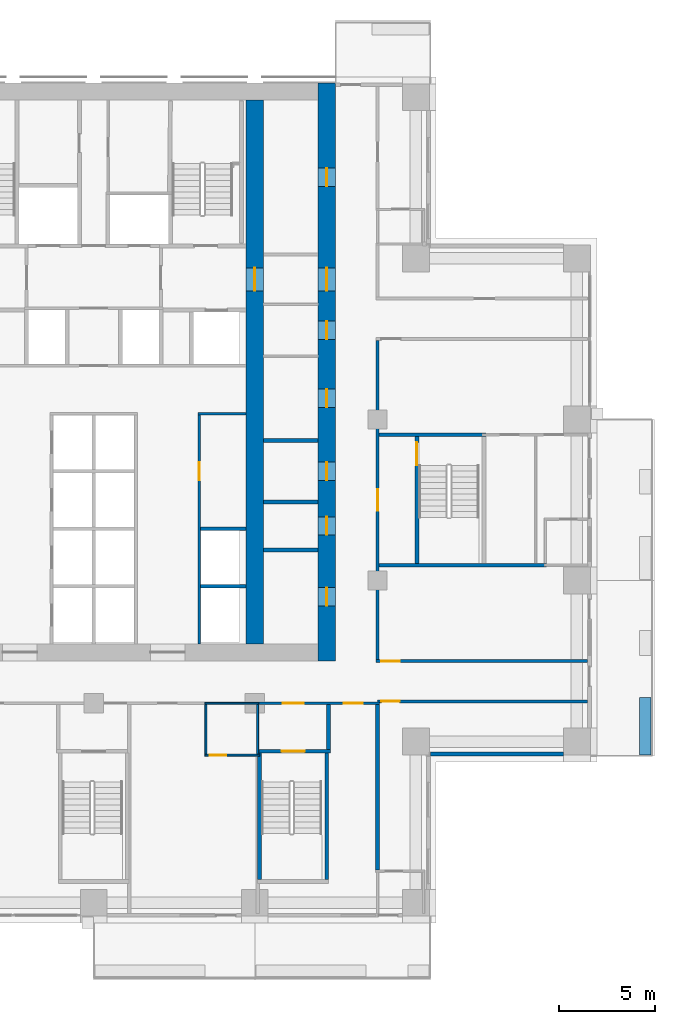
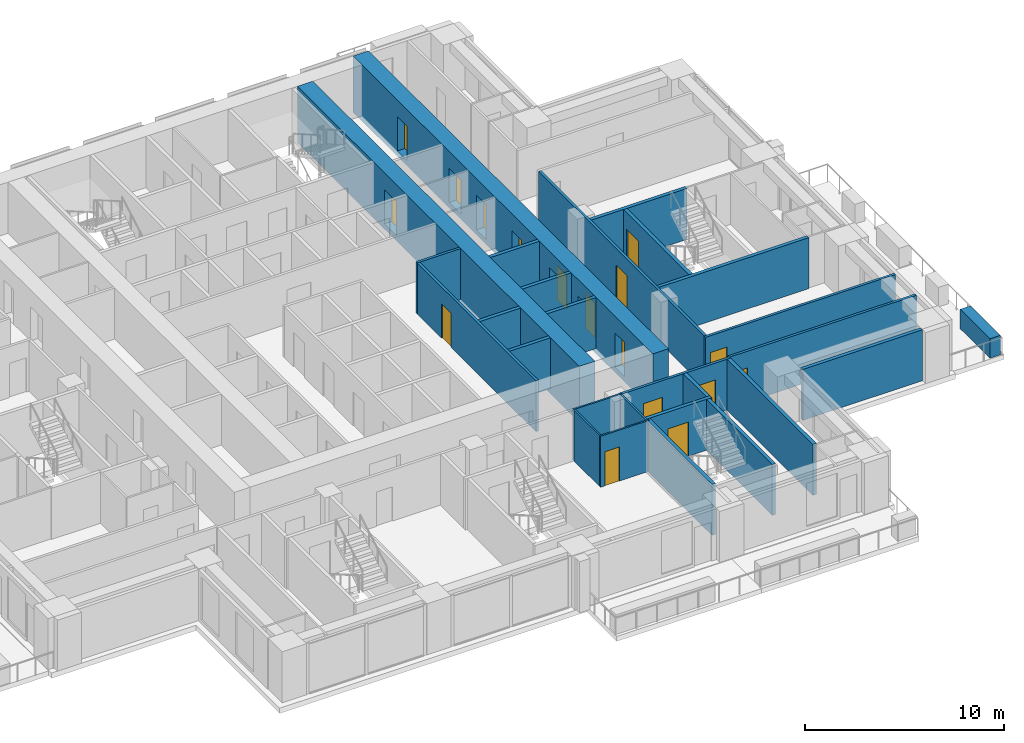
# One storey, part 11 of 17: 27 walls, 17 doors, 17 openings.
"""IFC4 building model written with IfcOpenShell, lengths in metres."""

from ifc_helpers import new_model, si_unit, direction, frame, frame_2d, origin, place, context, subcontext, project, spatial, rectangle, extrude, material, layer, layer_set, type_object, element, fill, save


model = new_model("IFC4")

# Units and contexts
model_context = context("Model", 3, precision=1e-05, world=origin(), true_north=direction((0.0, 1.0)))
body_context = subcontext(model_context, "Body", "Model", "MODEL_VIEW")
ifc_project = project(units=[si_unit("LENGTHUNIT", "METRE"), si_unit("AREAUNIT", "SQUARE_METRE"), si_unit("VOLUMEUNIT", "CUBIC_METRE"), si_unit("PLANEANGLEUNIT", "RADIAN"), si_unit("MASSUNIT", "GRAM", prefix="KILO")], contexts=[model_context])

# Site, building, storey
site_placement = place(None, origin())
site = spatial("IfcSite", under=ifc_project, at=site_placement, CompositionType="ELEMENT")
building_placement = place(site_placement, origin())
building = spatial("IfcBuilding", under=site, at=building_placement, Name="Vermilion Ogive Tower", CompositionType="ELEMENT")
storey_placement = place(building_placement, frame((0.0, 0.0, 51.75)))
storey = spatial("IfcBuildingStorey", under=building, at=storey_placement, Name="L11", CompositionType="ELEMENT", Elevation=51.75)

# Wall, openings, doors
ifc_material_1 = material(Name="Concrete B80", Category="concrete")
ifc_layer_1 = layer(ifc_material_1, 0.89990234375)
ifc_layer_set_1 = layer_set([ifc_layer_1], Name="Core wall 900 B80")
wall_type_1 = type_object("IfcWallType", Name="Core wall 900 B80", PredefinedType="SHEAR", material=ifc_layer_set_1)
wall_1_placement = place(storey_placement, frame((12.14990234375, -8.39990234375, -0.320068359375), z_axis=(0.0, 0.0, 1.0), x_axis=(0.0, 1.0, 0.0)))
wall_1 = element("IfcWall", 1, at=wall_1_placement, inside=storey, type_object=wall_type_1, Name="L11-CORE-E", PredefinedType="SHEAR", context=body_context, shape_type="SweptSolid", body=[
    extrude(rectangle(XDim=30.14990234375, YDim=0.89990234375, at=frame_2d((15.074951171875, 0.0))), origin(), (0.0, 0.0, 1.0), 3.449951171875),
])
opening_1_placement = place(wall_1_placement, frame((2.875, 0.0, 0.320068359375)))
opening_1 = element("IfcOpeningElement", 2, at=opening_1_placement, cuts=wall_1, Name="Opening DAC012", PredefinedType="OPENING", context=body_context, shape_type="SweptSolid", body=[
    extrude(rectangle(XDim=0.949951171875, YDim=2.10009765625, at=frame_2d((0.47509765625, 1.050048828125))), frame((0.0, 0.4599609375, 0.0), z_axis=(0.0, -1.0, 0.0), x_axis=(1.0, 0.0, 0.0)), (0.0, 0.0, 1.0), 0.919921875),
])
opening_2_placement = place(wall_1_placement, frame((6.574951171875, 0.0, 0.320068359375)))
opening_2 = element("IfcOpeningElement", 3, at=opening_2_placement, cuts=wall_1, Name="Opening DAC013", PredefinedType="OPENING", context=body_context, shape_type="SweptSolid", body=[
    extrude(rectangle(XDim=0.949951171875, YDim=2.10009765625, at=frame_2d((0.47509765625, 1.050048828125))), frame((0.0, 0.4599609375, 0.0), z_axis=(0.0, -1.0, 0.0), x_axis=(1.0, 0.0, 0.0)), (0.0, 0.0, 1.0), 0.919921875),
])
opening_3_placement = place(wall_1_placement, frame((9.425048828125, 0.0, 0.320068359375)))
opening_3 = element("IfcOpeningElement", 4, at=opening_3_placement, cuts=wall_1, Name="Opening DAC014", PredefinedType="OPENING", context=body_context, shape_type="SweptSolid", body=[
    extrude(rectangle(XDim=0.949951171875, YDim=2.10009765625, at=frame_2d((0.47509765625, 1.050048828125))), frame((0.0, 0.4599609375, 0.0), z_axis=(0.0, -1.0, 0.0), x_axis=(1.0, 0.0, 0.0)), (0.0, 0.0, 1.0), 0.919921875),
])
opening_4_placement = place(wall_1_placement, frame((13.22509765625, 0.0, 0.320068359375)))
opening_4 = element("IfcOpeningElement", 5, at=opening_4_placement, cuts=wall_1, Name="Opening DAC015", PredefinedType="OPENING", context=body_context, shape_type="SweptSolid", body=[
    extrude(rectangle(XDim=0.949951171875, YDim=2.10009765625, at=frame_2d((0.47509765625, 1.050048828125))), frame((0.0, 0.4599609375, 0.0), z_axis=(0.0, -1.0, 0.0), x_axis=(1.0, 0.0, 0.0)), (0.0, 0.0, 1.0), 0.919921875),
])
opening_5_placement = place(wall_1_placement, frame((16.77490234375, 0.0, 0.320068359375)))
opening_5 = element("IfcOpeningElement", 6, at=opening_5_placement, cuts=wall_1, Name="Opening DAC016", PredefinedType="OPENING", context=body_context, shape_type="SweptSolid", body=[
    extrude(rectangle(XDim=0.949951171875, YDim=2.10009765625, at=frame_2d((0.47509765625, 1.050048828125))), frame((0.0, 0.4599609375, 0.0), z_axis=(0.0, -1.0, 0.0), x_axis=(1.0, 0.0, 0.0)), (0.0, 0.0, 1.0), 0.919921875),
])
opening_6_placement = place(wall_1_placement, frame((24.75, 0.0, 0.320068359375)))
opening_6 = element("IfcOpeningElement", 7, at=opening_6_placement, cuts=wall_1, Name="Opening DAC017", PredefinedType="OPENING", context=body_context, shape_type="SweptSolid", body=[
    extrude(rectangle(XDim=0.949951171875, YDim=2.10009765625, at=frame_2d((0.47509765625, 1.050048828125))), frame((0.0, 0.4599609375, 0.0), z_axis=(0.0, -1.0, 0.0), x_axis=(1.0, 0.0, 0.0)), (0.0, 0.0, 1.0), 0.919921875),
])
opening_7_placement = place(wall_1_placement, frame((19.300048828125, 0.0, 0.320068359375)))
opening_7 = element("IfcOpeningElement", 8, at=opening_7_placement, cuts=wall_1, Name="Opening DAL003", PredefinedType="OPENING", context=body_context, shape_type="SweptSolid", body=[
    extrude(rectangle(XDim=1.199951171875, YDim=2.10009765625, at=frame_2d((0.60009765625, 1.050048828125))), frame((0.0, 0.4599609375, 0.0), z_axis=(0.0, -1.0, 0.0), x_axis=(1.0, 0.0, 0.0)), (0.0, 0.0, 1.0), 0.919921875),
])
ifc_material_2 = material(Name="Timber door leaf", Category="wood")
door_type_1 = type_object("IfcDoorType", Name="Link door 1200 x 2100 FD60S", OperationType="SINGLE_SWING_LEFT", PredefinedType="DOOR", material=ifc_material_2)
door_1_placement = place(opening_7_placement, origin())
door_1 = element("IfcDoor", 9, at=door_1_placement, inside=storey, type_object=door_type_1, Name="L11-CKE-XL", OperationType="SINGLE_SWING_LEFT", OverallHeight=2.10009765625, OverallWidth=1.199951171875, PredefinedType="DOOR", context=body_context, shape_type="SweptSolid", body=[
    extrude(rectangle(XDim=1.199951171875, YDim=2.10009765625, at=frame_2d((0.60009765625, 1.050048828125))), frame((0.0, 0.02490234375, 0.0), z_axis=(0.0, -1.0, 0.0), x_axis=(1.0, 0.0, 0.0)), (0.0, 0.0, 1.0), 0.050048828125),
])
fill(opening_7, door_1)
ifc_material_3 = material(Name="Timber door leaf", Category="wood")
door_type_2 = type_object("IfcDoorType", Name="Service door 950 x 2100 FD60", OperationType="SINGLE_SWING_LEFT", PredefinedType="DOOR", material=ifc_material_3)
door_2_placement = place(opening_1_placement, origin())
door_2 = element("IfcDoor", 10, at=door_2_placement, inside=storey, type_object=door_type_2, Name="L11-CKE-XR0", OperationType="SINGLE_SWING_LEFT", OverallHeight=2.10009765625, OverallWidth=0.949951171875, PredefinedType="DOOR", context=body_context, shape_type="SweptSolid", body=[
    extrude(rectangle(XDim=0.949951171875, YDim=2.10009765625, at=frame_2d((0.47509765625, 1.050048828125))), frame((0.0, 0.02490234375, 0.0), z_axis=(0.0, -1.0, 0.0), x_axis=(1.0, 0.0, 0.0)), (0.0, 0.0, 1.0), 0.050048828125),
])
fill(opening_1, door_2)
door_3_placement = place(opening_2_placement, origin())
door_3 = element("IfcDoor", 11, at=door_3_placement, inside=storey, type_object=door_type_2, Name="L11-CKE-XR1", OperationType="SINGLE_SWING_LEFT", OverallHeight=2.10009765625, OverallWidth=0.949951171875, PredefinedType="DOOR", context=body_context, shape_type="SweptSolid", body=[
    extrude(rectangle(XDim=0.949951171875, YDim=2.10009765625, at=frame_2d((0.47509765625, 1.050048828125))), frame((0.0, 0.02490234375, 0.0), z_axis=(0.0, -1.0, 0.0), x_axis=(1.0, 0.0, 0.0)), (0.0, 0.0, 1.0), 0.050048828125),
])
fill(opening_2, door_3)
door_4_placement = place(opening_3_placement, origin())
door_4 = element("IfcDoor", 12, at=door_4_placement, inside=storey, type_object=door_type_2, Name="L11-CKE-XR2", OperationType="SINGLE_SWING_LEFT", OverallHeight=2.10009765625, OverallWidth=0.949951171875, PredefinedType="DOOR", context=body_context, shape_type="SweptSolid", body=[
    extrude(rectangle(XDim=0.949951171875, YDim=2.10009765625, at=frame_2d((0.47509765625, 1.050048828125))), frame((0.0, 0.02490234375, 0.0), z_axis=(0.0, -1.0, 0.0), x_axis=(1.0, 0.0, 0.0)), (0.0, 0.0, 1.0), 0.050048828125),
])
fill(opening_3, door_4)
door_5_placement = place(opening_4_placement, origin())
door_5 = element("IfcDoor", 13, at=door_5_placement, inside=storey, type_object=door_type_2, Name="L11-CKE-XR3", OperationType="SINGLE_SWING_LEFT", OverallHeight=2.10009765625, OverallWidth=0.949951171875, PredefinedType="DOOR", context=body_context, shape_type="SweptSolid", body=[
    extrude(rectangle(XDim=0.949951171875, YDim=2.10009765625, at=frame_2d((0.47509765625, 1.050048828125))), frame((0.0, 0.02490234375, 0.0), z_axis=(0.0, -1.0, 0.0), x_axis=(1.0, 0.0, 0.0)), (0.0, 0.0, 1.0), 0.050048828125),
])
fill(opening_4, door_5)
door_6_placement = place(opening_5_placement, origin())
door_6 = element("IfcDoor", 14, at=door_6_placement, inside=storey, type_object=door_type_2, Name="L11-CKE-XR4", OperationType="SINGLE_SWING_LEFT", OverallHeight=2.10009765625, OverallWidth=0.949951171875, PredefinedType="DOOR", context=body_context, shape_type="SweptSolid", body=[
    extrude(rectangle(XDim=0.949951171875, YDim=2.10009765625, at=frame_2d((0.47509765625, 1.050048828125))), frame((0.0, 0.02490234375, 0.0), z_axis=(0.0, -1.0, 0.0), x_axis=(1.0, 0.0, 0.0)), (0.0, 0.0, 1.0), 0.050048828125),
])
fill(opening_5, door_6)
door_7_placement = place(opening_6_placement, origin())
door_7 = element("IfcDoor", 15, at=door_7_placement, inside=storey, type_object=door_type_2, Name="L11-CKE-XR5", OperationType="SINGLE_SWING_LEFT", OverallHeight=2.10009765625, OverallWidth=0.949951171875, PredefinedType="DOOR", context=body_context, shape_type="SweptSolid", body=[
    extrude(rectangle(XDim=0.949951171875, YDim=2.10009765625, at=frame_2d((0.47509765625, 1.050048828125))), frame((0.0, 0.02490234375, 0.0), z_axis=(0.0, -1.0, 0.0), x_axis=(1.0, 0.0, 0.0)), (0.0, 0.0, 1.0), 0.050048828125),
])
fill(opening_6, door_7)

# Wall, opening, door
wall_2_placement = place(storey_placement, frame((8.39990234375, -7.5, -0.320068359375), z_axis=(0.0, 0.0, 1.0), x_axis=(0.0, 1.0, 0.0)))
wall_2 = element("IfcWall", 16, at=wall_2_placement, inside=storey, type_object=wall_type_1, Name="L11-CORE-WEB2", PredefinedType="SHEAR", context=body_context, shape_type="SweptSolid", body=[
    extrude(rectangle(XDim=28.35009765625, YDim=0.89990234375, at=frame_2d((14.175048828125, 0.0))), origin(), (0.0, 0.0, 1.0), 3.449951171875),
])
opening_8_placement = place(wall_2_placement, frame((18.39990234375, 0.0, 0.320068359375)))
opening_8 = element("IfcOpeningElement", 17, at=opening_8_placement, cuts=wall_2, Name="Opening DAO003", PredefinedType="OPENING", context=body_context, shape_type="SweptSolid", body=[
    extrude(rectangle(XDim=1.199951171875, YDim=2.10009765625, at=frame_2d((0.60009765625, 1.050048828125))), frame((0.0, 0.4599609375, 0.0), z_axis=(0.0, -1.0, 0.0), x_axis=(1.0, 0.0, 0.0)), (0.0, 0.0, 1.0), 0.919921875),
])
door_8_placement = place(opening_8_placement, origin())
door_8 = element("IfcDoor", 18, at=door_8_placement, inside=storey, type_object=door_type_1, Name="L11-CKE-XW", OperationType="SINGLE_SWING_LEFT", OverallHeight=2.10009765625, OverallWidth=1.199951171875, PredefinedType="DOOR", context=body_context, shape_type="SweptSolid", body=[
    extrude(rectangle(XDim=1.199951171875, YDim=2.10009765625, at=frame_2d((0.60009765625, 1.050048828125))), frame((0.0, 0.02490234375, 0.0), z_axis=(0.0, -1.0, 0.0), x_axis=(1.0, 0.0, 0.0)), (0.0, 0.0, 1.0), 0.050048828125),
])
fill(opening_8, door_8)

ifc_material_4 = material(Name="Gypsum board partition on steel studs", Category="steel")
ifc_layer_2 = layer(ifc_material_4, 0.10009765625)
ifc_layer_set_2 = layer_set([ifc_layer_2], Name="Partition 100 bath")
wall_type_2 = type_object("IfcWallType", Name="Partition 100 bath", PredefinedType="PARTITIONING", material=ifc_layer_set_2)
wall_3_placement = place(storey_placement, frame((5.800048828125, -13.300048828125, 0.0), z_axis=(0.0, 0.0, 1.0), x_axis=(1.0, 0.0, 0.0)))
wall_3 = element("IfcWall", 19, at=wall_3_placement, inside=storey, type_object=wall_type_2, Name="L11-W-W006", PredefinedType="PARTITIONING", context=body_context, shape_type="SweptSolid", body=[
    extrude(rectangle(XDim=2.849853515625, YDim=0.10009765625, at=frame_2d((1.4248046875, 0.0))), origin(), (0.0, 0.0, 1.0), 3.1298828125),
])
opening_9_placement = place(wall_3_placement, frame((0.25, 0.0, 0.0)))
opening_9 = element("IfcOpeningElement", 20, at=opening_9_placement, cuts=wall_3, Name="Opening D1G3013", PredefinedType="OPENING", context=body_context, shape_type="SweptSolid", body=[
    extrude(rectangle(XDim=0.85009765625, YDim=2.10009765625, at=frame_2d((0.425048828125, 1.050048828125))), frame((0.0, 0.06005859375, 0.0), z_axis=(0.0, -1.0, 0.0), x_axis=(1.0, 0.0, 0.0)), (0.0, 0.0, 1.0), 0.1201171875),
])
ifc_material_5 = material(Name="Timber door leaf", Category="wood")
door_type_3 = type_object("IfcDoorType", Name="Bath door 850 x 2100 FD30", OperationType="SINGLE_SWING_LEFT", PredefinedType="DOOR", material=ifc_material_5)
door_9_placement = place(opening_9_placement, origin())
door_9 = element("IfcDoor", 21, at=door_9_placement, inside=storey, type_object=door_type_3, Name="L11-D-D013", OperationType="SINGLE_SWING_LEFT", OverallHeight=2.10009765625, OverallWidth=0.85009765625, PredefinedType="DOOR", context=body_context, shape_type="SweptSolid", body=[
    extrude(rectangle(XDim=0.85009765625, YDim=2.10009765625, at=frame_2d((0.425048828125, 1.050048828125))), frame((0.0, 0.02490234375, 0.0), z_axis=(0.0, -1.0, 0.0), x_axis=(1.0, 0.0, 0.0)), (0.0, 0.0, 1.0), 0.050048828125),
])
fill(opening_9, door_9)

# Walls
wall_4_placement = place(storey_placement, frame((5.800048828125, -10.60009765625, 0.0), z_axis=(0.0, 0.0, 1.0), x_axis=(1.0, 0.0, 0.0)))
element("IfcWall", 22, at=wall_4_placement, inside=storey, type_object=wall_type_2, Name="L11-W-W011", PredefinedType="PARTITIONING", context=body_context, shape_type="SweptSolid", body=[
    extrude(rectangle(XDim=2.800048828125, YDim=0.10009765625, at=frame_2d((1.39990234375, 0.0))), origin(), (0.0, 0.0, 1.0), 3.1298828125),
])
for number, where, z_axis, x_axis, name in (
    (23, (5.85009765625, -13.25, 0.0), (0.0, 0.0, 1.0), (0.0, 1.0, 0.0), "L11-W-W064"),
    (24, (8.550048828125, -13.25, 0.0), (0.0, 0.0, 1.0), (0.0, 1.0, 0.0), "L11-W-W066"),
):
    element("IfcWall", number, at=place(storey_placement, frame(where, z_axis=z_axis, x_axis=x_axis)), inside=storey, type_object=wall_type_2, Name=name, PredefinedType="PARTITIONING", context=body_context, shape_type="SweptSolid", body=[
        extrude(rectangle(XDim=2.574951171875, YDim=0.10009765625, at=frame_2d((1.28759765625, 0.0))), origin(), (0.0, 0.0, 1.0), 3.1298828125),
    ])

# Wall, openings, doors
ifc_material_6 = material(Name="Gypsum board partition on steel studs", Category="steel")
ifc_layer_3 = layer(ifc_material_6, 0.14990234375)
ifc_layer_set_3 = layer_set([ifc_layer_3], Name="Partition 150 corridor")
wall_type_3 = type_object("IfcWallType", Name="Partition 150 corridor", PredefinedType="PARTITIONING", material=ifc_layer_set_3)
wall_5_placement = place(storey_placement, frame((8.5, -10.60009765625, 0.0), z_axis=(0.0, 0.0, 1.0), x_axis=(1.0, 0.0, 0.0)))
wall_5 = element("IfcWall", 25, at=wall_5_placement, inside=storey, type_object=wall_type_3, Name="L11-W-W012", PredefinedType="PARTITIONING", context=body_context, shape_type="SweptSolid", body=[
    extrude(rectangle(XDim=6.39990234375, YDim=0.14990234375, at=frame_2d((3.199951171875, 0.0))), origin(), (0.0, 0.0, 1.0), 3.1298828125),
])
opening_10_placement = place(wall_5_placement, frame((1.35009765625, 0.0, 0.0)))
opening_10 = element("IfcOpeningElement", 26, at=opening_10_placement, cuts=wall_5, Name="Opening D1G3027", PredefinedType="OPENING", context=body_context, shape_type="SweptSolid", body=[
    extrude(rectangle(XDim=1.10009765625, YDim=2.10009765625, at=frame_2d((0.550048828125, 1.050048828125))), frame((0.0, 0.0849609375, 0.0), z_axis=(0.0, -1.0, 0.0), x_axis=(1.0, 0.0, 0.0)), (0.0, 0.0, 1.0), 0.169921875),
])
opening_11_placement = place(wall_5_placement, frame((4.52490234375, 0.0, 0.0)))
opening_11 = element("IfcOpeningElement", 27, at=opening_11_placement, cuts=wall_5, Name="Opening D1G3034", PredefinedType="OPENING", context=body_context, shape_type="SweptSolid", body=[
    extrude(rectangle(XDim=1.0, YDim=2.10009765625, at=frame_2d((0.5, 1.050048828125))), frame((0.0, 0.0849609375, 0.0), z_axis=(0.0, -1.0, 0.0), x_axis=(1.0, 0.0, 0.0)), (0.0, 0.0, 1.0), 0.169921875),
])
ifc_material_7 = material(Name="Timber door leaf", Category="wood")
door_type_4 = type_object("IfcDoorType", Name="Stair door 1100 x 2100 FD60S", OperationType="SINGLE_SWING_LEFT", PredefinedType="DOOR", material=ifc_material_7)
door_10_placement = place(opening_10_placement, origin())
door_10 = element("IfcDoor", 28, at=door_10_placement, inside=storey, type_object=door_type_4, Name="L11-D-D027", OperationType="SINGLE_SWING_RIGHT", OverallHeight=2.10009765625, OverallWidth=1.10009765625, PredefinedType="DOOR", context=body_context, shape_type="SweptSolid", body=[
    extrude(rectangle(XDim=1.10009765625, YDim=2.10009765625, at=frame_2d((0.550048828125, 1.050048828125))), frame((0.0, 0.02490234375, 0.0), z_axis=(0.0, -1.0, 0.0), x_axis=(1.0, 0.0, 0.0)), (0.0, 0.0, 1.0), 0.050048828125),
])
fill(opening_10, door_10)
ifc_material_8 = material(Name="Timber door leaf", Category="wood")
door_type_5 = type_object("IfcDoorType", Name="Unit door 1000 x 2100 FD30S", OperationType="SINGLE_SWING_LEFT", PredefinedType="DOOR", material=ifc_material_8)
door_11_placement = place(opening_11_placement, origin())
door_11 = element("IfcDoor", 29, at=door_11_placement, inside=storey, type_object=door_type_5, Name="L11-D-D034", OperationType="SINGLE_SWING_RIGHT", OverallHeight=2.10009765625, OverallWidth=1.0, PredefinedType="DOOR", context=body_context, shape_type="SweptSolid", body=[
    extrude(rectangle(XDim=1.0, YDim=2.10009765625, at=frame_2d((0.5, 1.050048828125))), frame((0.0, 0.02490234375, 0.0), z_axis=(0.0, -1.0, 0.0), x_axis=(1.0, 0.0, 0.0)), (0.0, 0.0, 1.0), 0.050048828125),
])
fill(opening_11, door_11)

# Wall, opening, door
wall_6_placement = place(storey_placement, frame((14.800048828125, -10.5, 0.0), z_axis=(0.0, 0.0, 1.0), x_axis=(1.0, 0.0, 0.0)))
wall_6 = element("IfcWall", 30, at=wall_6_placement, inside=storey, type_object=wall_type_3, Name="L11-W-W014", PredefinedType="PARTITIONING", context=body_context, shape_type="SweptSolid", body=[
    extrude(rectangle(XDim=10.949951171875, YDim=0.14990234375, at=frame_2d((5.47509765625, 0.0))), origin(), (0.0, 0.0, 1.0), 3.1298828125),
])
opening_12_placement = place(wall_6_placement, frame((0.199951171875, 0.0, 0.0)))
opening_12 = element("IfcOpeningElement", 31, at=opening_12_placement, cuts=wall_6, Name="Opening D1G3014", PredefinedType="OPENING", context=body_context, shape_type="SweptSolid", body=[
    extrude(rectangle(XDim=0.949951171875, YDim=2.10009765625, at=frame_2d((0.47509765625, 1.050048828125))), frame((0.0, 0.0849609375, 0.0), z_axis=(0.0, -1.0, 0.0), x_axis=(1.0, 0.0, 0.0)), (0.0, 0.0, 1.0), 0.169921875),
])
ifc_material_9 = material(Name="Timber door leaf", Category="wood")
door_type_6 = type_object("IfcDoorType", Name="Unit door 950 x 2100 FD30S", OperationType="SINGLE_SWING_LEFT", PredefinedType="DOOR", material=ifc_material_9)
door_12_placement = place(opening_12_placement, origin())
door_12 = element("IfcDoor", 32, at=door_12_placement, inside=storey, type_object=door_type_6, Name="L11-D-D014", OperationType="SINGLE_SWING_RIGHT", OverallHeight=2.10009765625, OverallWidth=0.949951171875, PredefinedType="DOOR", context=body_context, shape_type="SweptSolid", body=[
    extrude(rectangle(XDim=0.949951171875, YDim=2.10009765625, at=frame_2d((0.47509765625, 1.050048828125))), frame((0.0, 0.02490234375, 0.0), z_axis=(0.0, -1.0, 0.0), x_axis=(1.0, 0.0, 0.0)), (0.0, 0.0, 1.0), 0.050048828125),
])
fill(opening_12, door_12)

wall_7_placement = place(storey_placement, frame((14.72509765625, -8.39990234375, 0.0), z_axis=(0.0, 0.0, 1.0), x_axis=(1.0, 0.0, 0.0)))
wall_7 = element("IfcWall", 33, at=wall_7_placement, inside=storey, type_object=wall_type_3, Name="L11-W-W016", PredefinedType="PARTITIONING", context=body_context, shape_type="SweptSolid", body=[
    extrude(rectangle(XDim=11.02490234375, YDim=0.14990234375, at=frame_2d((5.512451171875, 0.0))), origin(), (0.0, 0.0, 1.0), 3.1298828125),
])
opening_13_placement = place(wall_7_placement, frame((0.27490234375, 0.0, 0.0)))
opening_13 = element("IfcOpeningElement", 34, at=opening_13_placement, cuts=wall_7, Name="Opening D1G3016", PredefinedType="OPENING", context=body_context, shape_type="SweptSolid", body=[
    extrude(rectangle(XDim=0.949951171875, YDim=2.10009765625, at=frame_2d((0.47509765625, 1.050048828125))), frame((0.0, 0.0849609375, 0.0), z_axis=(0.0, -1.0, 0.0), x_axis=(1.0, 0.0, 0.0)), (0.0, 0.0, 1.0), 0.169921875),
])
door_13_placement = place(opening_13_placement, origin())
door_13 = element("IfcDoor", 35, at=door_13_placement, inside=storey, type_object=door_type_6, Name="L11-D-D016", OperationType="SINGLE_SWING_LEFT", OverallHeight=2.10009765625, OverallWidth=0.949951171875, PredefinedType="DOOR", context=body_context, shape_type="SweptSolid", body=[
    extrude(rectangle(XDim=0.949951171875, YDim=2.10009765625, at=frame_2d((0.47509765625, 1.050048828125))), frame((0.0, 0.02490234375, 0.0), z_axis=(0.0, -1.0, 0.0), x_axis=(1.0, 0.0, 0.0)), (0.0, 0.0, 1.0), 0.050048828125),
])
fill(opening_13, door_13)

wall_8_placement = place(storey_placement, frame((14.800048828125, -8.324951171875, 0.0), z_axis=(0.0, 0.0, 1.0), x_axis=(0.0, 1.0, 0.0)))
wall_8 = element("IfcWall", 36, at=wall_8_placement, inside=storey, type_object=wall_type_3, Name="L11-W-W072", PredefinedType="PARTITIONING", context=body_context, shape_type="SweptSolid", body=[
    extrude(rectangle(XDim=16.64990234375, YDim=0.14990234375, at=frame_2d((8.324951171875, 0.0))), origin(), (0.0, 0.0, 1.0), 3.1298828125),
])
opening_14_placement = place(wall_8_placement, frame((7.77490234375, 0.0, 0.0)))
opening_14 = element("IfcOpeningElement", 37, at=opening_14_placement, cuts=wall_8, Name="Opening D1G3029", PredefinedType="OPENING", context=body_context, shape_type="SweptSolid", body=[
    extrude(rectangle(XDim=1.10009765625, YDim=2.10009765625, at=frame_2d((0.550048828125, 1.050048828125))), frame((0.0, 0.0849609375, 0.0), z_axis=(0.0, -1.0, 0.0), x_axis=(1.0, 0.0, 0.0)), (0.0, 0.0, 1.0), 0.169921875),
])
door_14_placement = place(opening_14_placement, origin())
door_14 = element("IfcDoor", 38, at=door_14_placement, inside=storey, type_object=door_type_4, Name="L11-D-D029", OperationType="SINGLE_SWING_RIGHT", OverallHeight=2.10009765625, OverallWidth=1.10009765625, PredefinedType="DOOR", context=body_context, shape_type="SweptSolid", body=[
    extrude(rectangle(XDim=1.10009765625, YDim=2.10009765625, at=frame_2d((0.550048828125, 1.050048828125))), frame((0.0, 0.02490234375, 0.0), z_axis=(0.0, -1.0, 0.0), x_axis=(1.0, 0.0, 0.0)), (0.0, 0.0, 1.0), 0.050048828125),
])
fill(opening_14, door_14)

# Wall
wall_9_placement = place(storey_placement, frame((5.425048828125, 4.5, 0.0), z_axis=(0.0, 0.0, 1.0), x_axis=(1.0, 0.0, 0.0)))
element("IfcWall", 39, at=wall_9_placement, inside=storey, type_object=wall_type_3, Name="L11-CK-W-W011", PredefinedType="PARTITIONING", context=body_context, shape_type="SweptSolid", body=[
    extrude(rectangle(XDim=2.52392578125, YDim=0.14990234375, at=frame_2d((1.261962890625, 0.0))), origin(), (0.0, 0.0, 1.0), 3.1298828125),
])

# Wall, opening, door
wall_10_placement = place(storey_placement, frame((5.5, -7.4990234375, 0.0), z_axis=(0.0, 0.0, 1.0), x_axis=(0.0, 1.0, 0.0)))
wall_10 = element("IfcWall", 40, at=wall_10_placement, inside=storey, type_object=wall_type_3, Name="L11-CK-W-W039", PredefinedType="PARTITIONING", context=body_context, shape_type="SweptSolid", body=[
    extrude(rectangle(XDim=11.924072265625, YDim=0.14990234375, at=frame_2d((5.9619140625, 0.0))), origin(), (0.0, 0.0, 1.0), 3.1298828125),
])
opening_15_placement = place(wall_10_placement, frame((8.52392578125, 0.0, 0.0)))
opening_15 = element("IfcOpeningElement", 41, at=opening_15_placement, cuts=wall_10, Name="Opening DAA051", PredefinedType="OPENING", context=body_context, shape_type="SweptSolid", body=[
    extrude(rectangle(XDim=0.949951171875, YDim=2.10009765625, at=frame_2d((0.47509765625, 1.050048828125))), frame((0.0, 0.0849609375, 0.0), z_axis=(0.0, -1.0, 0.0), x_axis=(1.0, 0.0, 0.0)), (0.0, 0.0, 1.0), 0.169921875),
])
door_15_placement = place(opening_15_placement, origin())
door_15 = element("IfcDoor", 42, at=door_15_placement, inside=storey, type_object=door_type_2, Name="L11-CK-D-D009", OperationType="SINGLE_SWING_LEFT", OverallHeight=2.10009765625, OverallWidth=0.949951171875, PredefinedType="DOOR", context=body_context, shape_type="SweptSolid", body=[
    extrude(rectangle(XDim=0.949951171875, YDim=2.10009765625, at=frame_2d((0.47509765625, 1.050048828125))), frame((0.0, 0.02490234375, 0.0), z_axis=(0.0, -1.0, 0.0), x_axis=(1.0, 0.0, 0.0)), (0.0, 0.0, 1.0), 0.050048828125),
])
fill(opening_15, door_15)

# Walls
ifc_material_10 = material(Name="Gypsum board partition on steel studs", Category="steel")
ifc_layer_4 = layer(ifc_material_10, 0.199951171875)
ifc_layer_set_4 = layer_set([ifc_layer_4], Name="Partition 200 party")
wall_type_4 = type_object("IfcWallType", Name="Partition 200 party", PredefinedType="PARTITIONING", material=ifc_layer_set_4)
wall_11_placement = place(storey_placement, frame((14.800048828125, -19.300048828125, 0.0), z_axis=(0.0, 0.0, 1.0), x_axis=(0.0, 1.0, 0.0)))
element("IfcWall", 43, at=wall_11_placement, inside=storey, type_object=wall_type_4, Name="L11-W-W071", PredefinedType="PARTITIONING", context=body_context, shape_type="SweptSolid", body=[
    extrude(rectangle(XDim=8.625, YDim=0.199951171875, at=frame_2d((4.3125, 0.0))), origin(), (0.0, 0.0, 1.0), 3.1298828125),
])
for number, where, z_axis, x_axis, name in (
    (44, (5.574951171875, -4.5, 0.0), (0.0, 0.0, 1.0), (1.0, 0.0, 0.0), "L11-CK-W-W003"),
    (45, (5.574951171875, -1.5, 0.0), (0.0, 0.0, 1.0), (1.0, 0.0, 0.0), "L11-CK-W-W006"),
):
    element("IfcWall", number, at=place(storey_placement, frame(where, z_axis=z_axis, x_axis=x_axis)), inside=storey, type_object=wall_type_4, Name=name, PredefinedType="PARTITIONING", context=body_context, shape_type="SweptSolid", body=[
        extrude(rectangle(XDim=2.3740234375, YDim=0.199951171875, at=frame_2d((1.18701171875, 0.0))), origin(), (0.0, 0.0, 1.0), 3.1298828125),
    ])
for number, where, z_axis, x_axis, name in (
    (46, (8.85107421875, -2.60009765625, 0.0), (0.0, 0.0, 1.0), (1.0, 0.0, 0.0), "L11-CKE-W-W001"),
    (47, (8.85107421875, -0.10009765625, 0.0), (0.0, 0.0, 1.0), (1.0, 0.0, 0.0), "L11-CKE-W-W002"),
    (48, (8.85107421875, 3.10009765625, 0.0), (0.0, 0.0, 1.0), (1.0, 0.0, 0.0), "L11-CKE-W-W003"),
):
    element("IfcWall", number, at=place(storey_placement, frame(where, z_axis=z_axis, x_axis=x_axis)), inside=storey, type_object=wall_type_4, Name=name, PredefinedType="PARTITIONING", context=body_context, shape_type="SweptSolid", body=[
        extrude(rectangle(XDim=2.847900390625, YDim=0.199951171875, at=frame_2d((1.423828125, 0.0))), origin(), (0.0, 0.0, 1.0), 3.1298828125),
    ])

# Wall, opening, door
ifc_material_11 = material(Name="Concrete B60", Category="concrete")
ifc_layer_5 = layer(ifc_material_11, 0.199951171875)
ifc_layer_set_5 = layer_set([ifc_layer_5], Name="Stair shaft wall 200 Concrete B60")
wall_type_5 = type_object("IfcWallType", Name="Stair shaft wall 200 Concrete B60", PredefinedType="SOLIDWALL", material=ifc_layer_set_5)
wall_12_placement = place(storey_placement, frame((8.60205078125, -13.10009765625, 0.0), z_axis=(0.0, 0.0, 1.0), x_axis=(1.0, 0.0, 0.0)))
wall_12 = element("IfcWall", 49, at=wall_12_placement, inside=storey, type_object=wall_type_5, Name="L11-W-W009", PredefinedType="SOLIDWALL", context=body_context, shape_type="SweptSolid", body=[
    extrude(rectangle(XDim=3.745849609375, YDim=0.199951171875, at=frame_2d((1.873046875, 0.0))), origin(), (0.0, 0.0, 1.0), 3.1298828125),
])
opening_16_placement = place(wall_12_placement, frame((1.197998046875, 0.0, 0.0)))
opening_16 = element("IfcOpeningElement", 50, at=opening_16_placement, cuts=wall_12, Name="Opening D1G3028", PredefinedType="OPENING", context=body_context, shape_type="SweptSolid", body=[
    extrude(rectangle(XDim=1.199951171875, YDim=2.10009765625, at=frame_2d((0.60009765625, 1.050048828125))), frame((0.0, 0.10986328125, 0.0), z_axis=(0.0, -1.0, 0.0), x_axis=(1.0, 0.0, 0.0)), (0.0, 0.0, 1.0), 0.219970703125),
])
ifc_material_12 = material(Name="Timber door leaf", Category="wood")
door_type_7 = type_object("IfcDoorType", Name="Stair door 1200 x 2100 FD60S", OperationType="SINGLE_SWING_LEFT", PredefinedType="DOOR", material=ifc_material_12)
door_16_placement = place(opening_16_placement, origin())
door_16 = element("IfcDoor", 51, at=door_16_placement, inside=storey, type_object=door_type_7, Name="L11-D-D028", OperationType="SINGLE_SWING_RIGHT", OverallHeight=2.10009765625, OverallWidth=1.199951171875, PredefinedType="DOOR", context=body_context, shape_type="SweptSolid", body=[
    extrude(rectangle(XDim=1.199951171875, YDim=2.10009765625, at=frame_2d((0.60009765625, 1.050048828125))), frame((0.0, 0.02490234375, 0.0), z_axis=(0.0, -1.0, 0.0), x_axis=(1.0, 0.0, 0.0)), (0.0, 0.0, 1.0), 0.050048828125),
])
fill(opening_16, door_16)

# Walls
wall_13_placement = place(storey_placement, frame((14.875, -3.39990234375, 0.0), z_axis=(0.0, 0.0, 1.0), x_axis=(1.0, 0.0, 0.0)))
element("IfcWall", 52, at=wall_13_placement, inside=storey, type_object=wall_type_5, Name="L11-W-W022", PredefinedType="SOLIDWALL", context=body_context, shape_type="SweptSolid", body=[
    extrude(rectangle(XDim=8.72509765625, YDim=0.199951171875, at=frame_2d((4.362548828125, 0.0))), origin(), (0.0, 0.0, 1.0), 3.1298828125),
])
wall_14_placement = place(storey_placement, frame((14.875, 3.39990234375, 0.0), z_axis=(0.0, 0.0, 1.0), x_axis=(1.0, 0.0, 0.0)))
element("IfcWall", 53, at=wall_14_placement, inside=storey, type_object=wall_type_5, Name="L11-W-W028", PredefinedType="SOLIDWALL", context=body_context, shape_type="SweptSolid", body=[
    extrude(rectangle(XDim=5.574951171875, YDim=0.199951171875, at=frame_2d((2.78759765625, 0.0))), origin(), (0.0, 0.0, 1.0), 3.1298828125),
])
for number, where, z_axis, x_axis, name in (
    (54, (8.64990234375, -19.798095703125, 0.0), (0.0, 0.0, 1.0), (0.0, 1.0, 0.0), "L11-W-W067"),
    (55, (12.14990234375, -19.798095703125, 0.0), (0.0, 0.0, 1.0), (0.0, 1.0, 0.0), "L11-W-W068"),
):
    element("IfcWall", number, at=place(storey_placement, frame(where, z_axis=z_axis, x_axis=x_axis)), inside=storey, type_object=wall_type_5, Name=name, PredefinedType="SOLIDWALL", context=body_context, shape_type="SweptSolid", body=[
        extrude(rectangle(XDim=6.59619140625, YDim=0.199951171875, at=frame_2d((3.298095703125, 0.0))), origin(), (0.0, 0.0, 1.0), 3.1298828125),
    ])
wall_15_placement = place(storey_placement, frame((12.25, -12.998046875, 0.0), z_axis=(0.0, 0.0, 1.0), x_axis=(0.0, 1.0, 0.0)))
element("IfcWall", 56, at=wall_15_placement, inside=storey, type_object=wall_type_5, Name="L11-W-W069", PredefinedType="SOLIDWALL", context=body_context, shape_type="SweptSolid", body=[
    extrude(rectangle(XDim=2.322998046875, YDim=0.199951171875, at=frame_2d((1.16162109375, 0.0))), origin(), (0.0, 0.0, 1.0), 3.1298828125),
])

# Wall, opening, door
wall_16_placement = place(storey_placement, frame((16.85009765625, -3.300048828125, 0.0), z_axis=(0.0, 0.0, 1.0), x_axis=(0.0, 1.0, 0.0)))
wall_16 = element("IfcWall", 57, at=wall_16_placement, inside=storey, type_object=wall_type_5, Name="L11-W-W076", PredefinedType="SOLIDWALL", context=body_context, shape_type="SweptSolid", body=[
    extrude(rectangle(XDim=6.60009765625, YDim=0.199951171875, at=frame_2d((3.300048828125, 0.0))), origin(), (0.0, 0.0, 1.0), 3.1298828125),
])
opening_17_placement = place(wall_16_placement, frame((5.10009765625, 0.0, 0.0)))
opening_17 = element("IfcOpeningElement", 58, at=opening_17_placement, cuts=wall_16, Name="Opening D1G3030", PredefinedType="OPENING", context=body_context, shape_type="SweptSolid", body=[
    extrude(rectangle(XDim=1.199951171875, YDim=2.10009765625, at=frame_2d((0.60009765625, 1.050048828125))), frame((0.0, 0.10986328125, 0.0), z_axis=(0.0, -1.0, 0.0), x_axis=(1.0, 0.0, 0.0)), (0.0, 0.0, 1.0), 0.219970703125),
])
door_17_placement = place(opening_17_placement, origin())
door_17 = element("IfcDoor", 59, at=door_17_placement, inside=storey, type_object=door_type_7, Name="L11-D-D030", OperationType="SINGLE_SWING_LEFT", OverallHeight=2.10009765625, OverallWidth=1.199951171875, PredefinedType="DOOR", context=body_context, shape_type="SweptSolid", body=[
    extrude(rectangle(XDim=1.199951171875, YDim=2.10009765625, at=frame_2d((0.60009765625, 1.050048828125))), frame((0.0, 0.02490234375, 0.0), z_axis=(0.0, -1.0, 0.0), x_axis=(1.0, 0.0, 0.0)), (0.0, 0.0, 1.0), 0.050048828125),
])
fill(opening_17, door_17)

# Walls
ifc_material_13 = material(Name="Concrete B40", Category="concrete")
ifc_layer_6 = layer(ifc_material_13, 0.60009765625)
ifc_layer_set_6 = layer_set([ifc_layer_6], Name="Structural planter")
wall_type_6 = type_object("IfcWallType", Name="Structural planter", PredefinedType="USERDEFINED", material=ifc_layer_set_6)
wall_17_placement = place(storey_placement, frame((28.75, -13.2900390625, -0.0400390625), z_axis=(0.0, 0.0, 1.0), x_axis=(0.0, 1.0, 0.0)))
element("IfcWall", 60, at=wall_17_placement, inside=storey, type_object=wall_type_6, Name="Planter E01A1", ObjectType="PLANTER", PredefinedType="USERDEFINED", context=body_context, shape_type="SweptSolid", body=[
    extrude(rectangle(XDim=2.989990234375, YDim=0.60009765625, at=frame_2d((1.4951171875, 0.0))), origin(), (0.0, 0.0, 1.0), 1.199951171875),
])
ifc_material_14 = material(Name="Aluminium window wall framing", Category="aluminium")
ifc_layer_7 = layer(ifc_material_14, 0.199951171875)
ifc_layer_set_7 = layer_set([ifc_layer_7], Name="Window wall")
wall_type_7 = type_object("IfcWallType", Name="Window wall", PredefinedType="STANDARD", material=ifc_layer_set_7)
wall_18_placement = place(storey_placement, frame((17.550048828125, -13.25, 0.0), z_axis=(0.0, 0.0, 1.0), x_axis=(1.0, 0.0, 0.0)))
element("IfcWall", 61, at=wall_18_placement, inside=storey, type_object=wall_type_7, Name="Window wall X21", PredefinedType="STANDARD", context=body_context, shape_type="SweptSolid", body=[
    extrude(rectangle(XDim=6.949951171875, YDim=0.199951171875, at=frame_2d((3.47509765625, 0.0))), origin(), (0.0, 0.0, 1.0), 3.1298828125),
])

save(model, "model.ifc")
